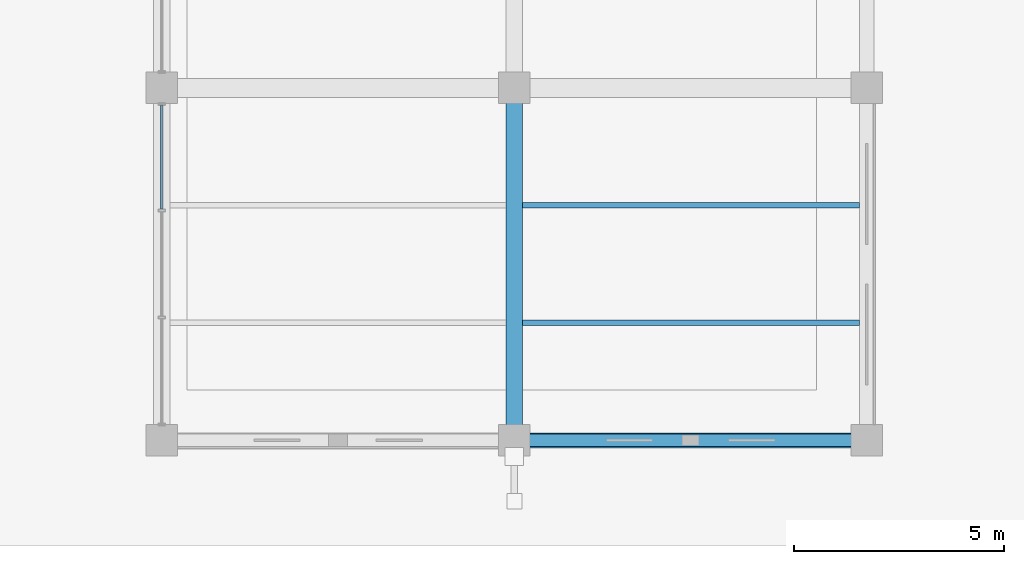
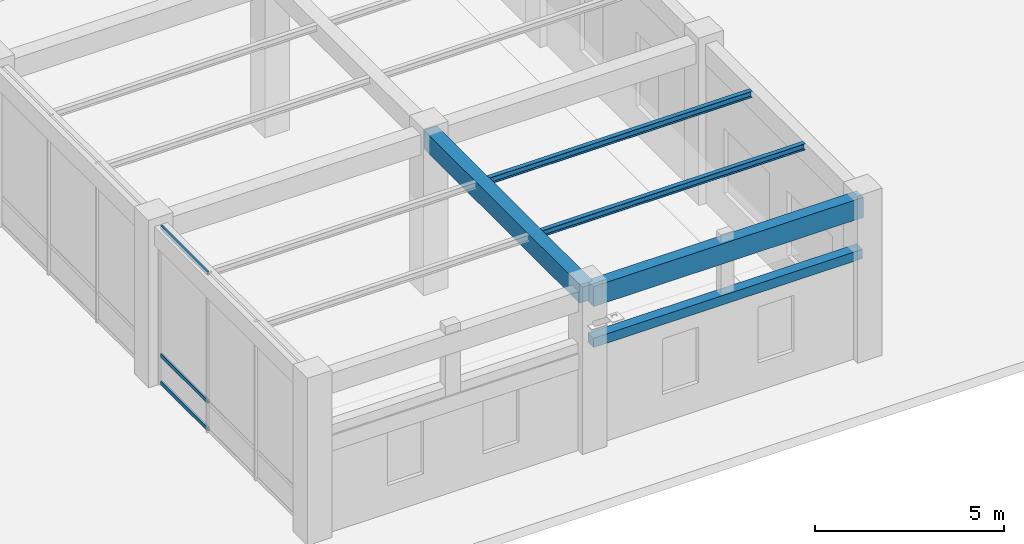
# One storey, part 16 of 157: 5 beams, 3 members, 1 element without a shape of its own.
"""IFC4 building model written with IfcOpenShell, lengths in metres."""

import ifcopenshell
import ifcopenshell.guid

model = None  # the IFC model being written
_history = None  # IfcOwnerHistory: only IFC2X3 demands one
_inside = {}  # id of a spatial element -> (the spatial element, [elements in it])
_under = {}  # id of a project, library or spatial element -> (it, [spatial elements below it])
_declared = {}  # id of a project -> (the project, [libraries it declares])
_typed = {}  # id of a type object -> (the type object, [elements of that type])
_made_of = {}  # id of a material, layer set ... -> (it, [elements and type objects made of it])


def new_model(schema):
    """Start an empty IFC model of exactly this schema.

    Asked for "IFC4X3", IfcOpenShell would pick the latest addendum, in which some entities
    have other attributes; the version numbers below select the first issue.
    IFC2X3 requires an IfcOwnerHistory on every rooted entity: one is made here for all.
    """
    global model, _history
    if schema == "IFC4X3":
        model = ifcopenshell.file(schema_version=(4, 3, 0, 0))
    else:
        model = ifcopenshell.file(schema=schema)
    _inside.clear()
    _under.clear()
    _declared.clear()
    _typed.clear()
    _made_of.clear()
    _history = None
    if model.schema == "IFC2X3":
        org = make("IfcOrganization", Name="unknown")
        user = make(
            "IfcPersonAndOrganization",
            ThePerson=make("IfcPerson", FamilyName="unknown"),
            TheOrganization=org,
        )
        app = make(
            "IfcApplication",
            ApplicationDeveloper=org,
            Version="unknown",
            ApplicationFullName="unknown",
            ApplicationIdentifier="unknown",
        )
        _history = make(
            "IfcOwnerHistory",
            OwningUser=user,
            OwningApplication=app,
            ChangeAction="ADDED",
            CreationDate=0,
        )
    return model


def make(cls, **values):
    """One entity of the class cls with the attributes given. An attribute that is None is left unset."""
    return model.create_entity(
        cls, **{name: value for name, value in values.items() if value is not None}
    )


def rooted(cls, **values):
    """An entity with a GlobalId (a new one), such as an element, a storey or a relation."""
    return make(cls, GlobalId=ifcopenshell.guid.new(), OwnerHistory=_history, **values)


def si_unit(unit_type, name, prefix=None):
    """IfcSIUnit, for example si_unit("LENGTHUNIT", "METRE", prefix="MILLI")."""
    return make("IfcSIUnit", UnitType=unit_type, Prefix=prefix, Name=name)


def assignment(units):
    """IfcUnitAssignment: the units of a project."""
    return None if units is None else make("IfcUnitAssignment", Units=units)


def point(xyz):
    """IfcCartesianPoint."""
    return None if xyz is None else make("IfcCartesianPoint", Coordinates=xyz)


def direction(xyz):
    """IfcDirection."""
    return None if xyz is None else make("IfcDirection", DirectionRatios=xyz)


def frame(location, z_axis=None, x_axis=None):
    """IfcAxis2Placement3D, a coordinate frame: its origin and axes. An axis left out is left unset."""
    return make(
        "IfcAxis2Placement3D",
        Location=point(location),
        Axis=direction(z_axis),
        RefDirection=direction(x_axis),
    )


def frame_2d(location, x_axis=None):
    """IfcAxis2Placement2D, a coordinate frame in the plane: its origin and x axis."""
    return make(
        "IfcAxis2Placement2D", Location=point(location), RefDirection=direction(x_axis)
    )


def origin():
    """The frame at (0, 0, 0) with its axes left unset."""
    return frame((0.0, 0.0, 0.0))


def origin_2d():
    """The frame at (0, 0) in the plane with its x axis left unset."""
    return frame_2d((0.0, 0.0))


def place(relative_to, where):
    """IfcLocalPlacement: puts the frame where relative to a parent placement (None: the world)."""
    return make(
        "IfcLocalPlacement", PlacementRelTo=relative_to, RelativePlacement=where
    )


def context(
    kind, dimensions, precision=None, world=None, true_north=None, identifier=None
):
    """IfcGeometricRepresentationContext, for example the 3D "Model" context."""
    return make(
        "IfcGeometricRepresentationContext",
        ContextIdentifier=identifier,
        ContextType=kind,
        CoordinateSpaceDimension=dimensions,
        Precision=precision,
        WorldCoordinateSystem=world,
        TrueNorth=true_north,
    )


def subcontext(parent, identifier, kind, view, scale=None):
    """IfcGeometricRepresentationSubContext, for example "Body" below "Model"."""
    return make(
        "IfcGeometricRepresentationSubContext",
        ContextIdentifier=identifier,
        ContextType=kind,
        ParentContext=parent,
        TargetScale=scale,
        TargetView=view,
    )


def project(units=None, contexts=None):
    """IfcProject with its units and contexts."""
    return rooted(
        "IfcProject",
        Name="project",
        RepresentationContexts=contexts,
        UnitsInContext=assignment(units),
    )


def spatial(cls, under=None, at=None, **own):
    """A site, building, storey or space (cls), placed at a placement, below another one or the project."""
    s = rooted(cls, ObjectPlacement=at, **own)
    if under is not None:
        _under.setdefault(under.id(), (under, []))[1].append(s)
    return s


def profile(cls, at=None, kind="AREA", **sizes):
    """A parametric profile (cls). Its sizes go by their IFC names, for example OverallWidth=200.0."""
    return make(cls, ProfileType=kind, Position=at, **sizes)


def rectangle(**sizes):
    """IfcRectangleProfileDef."""
    return profile("IfcRectangleProfileDef", **sizes)


def hollow_rectangle(**sizes):
    """IfcRectangleHollowProfileDef."""
    return profile("IfcRectangleHollowProfileDef", **sizes)


def i_section(**sizes):
    """IfcIShapeProfileDef."""
    return profile("IfcIShapeProfileDef", **sizes)


def extrude(swept, where, along, depth):
    """IfcExtrudedAreaSolid: the profile swept, set in the frame where, extruded along a direction by depth."""
    return make(
        "IfcExtrudedAreaSolid",
        SweptArea=swept,
        Position=where,
        ExtrudedDirection=direction(along),
        Depth=depth,
    )


def shape(context_of_items, identifier, shape_type, items):
    """IfcShapeRepresentation: the items that make up one representation, for example the "Body"."""
    return make(
        "IfcShapeRepresentation",
        ContextOfItems=context_of_items,
        RepresentationIdentifier=identifier,
        RepresentationType=shape_type,
        Items=items,
    )


def material(Name=None, Category=None):
    """IfcMaterial."""
    return make("IfcMaterial", Name=Name, Category=Category)


def material_profile(
    of_material, cross_section, Name=None, Category=None, Priority=None
):
    """IfcMaterialProfile: a cross section and its material."""
    return make(
        "IfcMaterialProfile",
        Name=Name,
        Material=of_material,
        Profile=cross_section,
        Priority=Priority,
        Category=Category,
    )


def profile_set(profiles, Name=None, composite=None):
    """IfcMaterialProfileSet."""
    return make(
        "IfcMaterialProfileSet",
        Name=Name,
        MaterialProfiles=profiles,
        CompositeProfile=composite,
    )


def made_of(thing, what):
    """Note that an element or type object is made of a material, layer set ...; save() writes the relation."""
    if what is not None:
        _made_of.setdefault(what.id(), (what, []))[1].append(thing)
    return thing


def type_object(cls, material=None, **own):
    """A type object (cls), such as IfcWallType, which elements share."""
    return made_of(rooted(cls, **own), material)


def element(
    cls,
    number,
    at=None,
    inside=None,
    cuts=None,
    type_object=None,
    material=None,
    context=None,
    identifier="Body",
    shape_type=None,
    held_by="IfcProductDefinitionShape",
    body=None,
    shapes=None,
    **own,
):
    """One element of the class cls, such as IfcWall. Its Tag is "e" and its number.

    at: its placement. inside: the storey or other place that contains it. cuts: it is an
    opening in that element (IfcRelVoidsElement). A single representation is given by context,
    identifier, shape_type and body (its items); several are given by shapes. held_by: the class
    of the entity that holds the representations. save() writes the other relations.
    """
    e = rooted(cls, Tag="e%d" % number, ObjectPlacement=at, **own)
    if body is not None:
        shapes = [shape(context, identifier, shape_type, body)]
    if shapes is not None:
        e.Representation = make(held_by, Representations=shapes)
    if inside is not None:
        _inside.setdefault(inside.id(), (inside, []))[1].append(e)
    if cuts is not None:
        rooted(
            "IfcRelVoidsElement", RelatingBuildingElement=cuts, RelatedOpeningElement=e
        )
    if type_object is not None:
        _typed.setdefault(type_object.id(), (type_object, []))[1].append(e)
    return made_of(e, material)


def aggregate(whole, parts):
    """IfcRelAggregates: a whole, such as a stair, and the parts it consists of."""
    return rooted("IfcRelAggregates", RelatingObject=whole, RelatedObjects=parts)


def save(model, path):
    """Write the relations noted so far, then the file.

    IfcRelAggregates (storeys below a building ...), IfcRelContainedInSpatialStructure (elements
    in a storey), IfcRelDefinesByType, IfcRelAssociatesMaterial and IfcRelDeclares: one each for
    every whole, place, type object, material and project.
    """
    for whole, parts in _under.values():
        aggregate(whole, parts)
    for where, things in _inside.values():
        rooted(
            "IfcRelContainedInSpatialStructure",
            RelatedElements=things,
            RelatingStructure=where,
        )
    for kind, things in _typed.values():
        rooted("IfcRelDefinesByType", RelatedObjects=things, RelatingType=kind)
    for what, things in _made_of.values():
        rooted("IfcRelAssociatesMaterial", RelatedObjects=things, RelatingMaterial=what)
    for by, libraries in _declared.values():
        rooted("IfcRelDeclares", RelatingContext=by, RelatedDefinitions=libraries)
    model.write(path)


model = new_model("IFC4")

# Units and contexts
model_context = context("Model", 3, precision=1e-05, world=origin(), true_north=direction((0.0, 1.0)))
body_context = subcontext(model_context, "Body", "Model", "MODEL_VIEW")
ifc_project = project(units=[si_unit("LENGTHUNIT", "METRE"), si_unit("AREAUNIT", "SQUARE_METRE"), si_unit("VOLUMEUNIT", "CUBIC_METRE"), si_unit("PLANEANGLEUNIT", "RADIAN"), si_unit("MASSUNIT", "GRAM", prefix="KILO"), si_unit("THERMODYNAMICTEMPERATUREUNIT", "KELVIN"), si_unit("POWERUNIT", "WATT")], contexts=[model_context])

# Site, building, storey
site_placement = place(None, origin())
site = spatial("IfcSite", under=ifc_project, at=site_placement, CompositionType="ELEMENT")
building_placement = place(site_placement, origin())
building = spatial("IfcBuilding", under=site, at=building_placement, Name="Darbajah Civic Hall", CompositionType="ELEMENT")
storey_placement = place(building_placement, origin())
storey = spatial("IfcBuildingStorey", under=building, at=storey_placement, Name="L00", CompositionType="ELEMENT", Elevation=0.0)

# Curtain wall, members
ifc_material_1 = material(Name="Anodised Bronze Aluminium and Low-E Glazing", Category="aluminium")
curtain_wall_type = type_object("IfcCurtainWallType", Name="Unitised Curtain Wall CW-98 7600x5150", PredefinedType="USERDEFINED", material=ifc_material_1)
curtain_wall_placement = place(storey_placement, origin())
curtain_wall = element("IfcCurtainWall", 1, at=curtain_wall_placement, inside=storey, type_object=curtain_wall_type, Name="L00 unitised curtain wall CW-V5-L00-S3-B1", ObjectType="UNITISED CURTAIN WALL", PredefinedType="USERDEFINED")
ifc_material_2 = material(Name="Anodised Bronze Aluminium", Category="aluminium")
ifc_material_profile_1 = material_profile(ifc_material_2, hollow_rectangle(XDim=0.06005859375, YDim=0.1201171875, WallThickness=0.003173828125, at=origin_2d()), Name="ALU TRANSOM 60x120")
ifc_profile_set_1 = profile_set([ifc_material_profile_1], Name="Anodised Bronze Aluminium")
member_type = type_object("IfcMemberType", Name="ALU TRANSOM 60x120", PredefinedType="USERDEFINED", material=ifc_profile_set_1)
member_1_placement = place(storey_placement, frame((50.39990234375, 7.988037109375, 0.06005859375), z_axis=(0.0, -1.0, 0.0), x_axis=(1.0, 0.0, 0.0)))
member_1 = element("IfcMember", 2, at=member_1_placement, type_object=member_type, Name="CW-V5-L00-S3-B1 transom 1.1", ObjectType="TRANSOM", PredefinedType="USERDEFINED", context=body_context, shape_type="SweptSolid", body=[
    extrude(hollow_rectangle(XDim=0.06005859375, YDim=0.1201171875, WallThickness=0.003173828125, at=origin_2d()), origin(), (0.0, 0.0, 1.0), 2.478759765625),
])
member_2_placement = place(storey_placement, frame((50.39990234375, 7.988037109375, 0.949951171875), z_axis=(0.0, -1.0, 0.0), x_axis=(1.0, 0.0, 0.0)))
member_2 = element("IfcMember", 3, at=member_2_placement, type_object=member_type, Name="CW-V5-L00-S3-B1 transom 1.2", ObjectType="TRANSOM", PredefinedType="USERDEFINED", context=body_context, shape_type="SweptSolid", body=[
    extrude(hollow_rectangle(XDim=0.06005859375, YDim=0.1201171875, WallThickness=0.003173828125, at=origin_2d()), origin(), (0.0, 0.0, 1.0), 2.478759765625),
])
member_3_placement = place(storey_placement, frame((50.39990234375, 7.988037109375, 5.080078125), z_axis=(0.0, -1.0, 0.0), x_axis=(1.0, 0.0, 0.0)))
member_3 = element("IfcMember", 4, at=member_3_placement, type_object=member_type, Name="CW-V5-L00-S3-B1 transom 1.3", ObjectType="TRANSOM", PredefinedType="USERDEFINED", context=body_context, shape_type="SweptSolid", body=[
    extrude(hollow_rectangle(XDim=0.06005859375, YDim=0.1201171875, WallThickness=0.003173828125, at=origin_2d()), origin(), (0.0, 0.0, 1.0), 2.478759765625),
])
aggregate(curtain_wall, [member_1, member_2, member_3])

# Beams
ifc_material_3 = material(Name="Concrete C45/55", Category="concrete")
ifc_material_profile_2 = material_profile(ifc_material_3, rectangle(XDim=0.39990234375, YDim=0.60009765625, at=origin_2d()), Name="RC BEAM 400x600")
ifc_profile_set_2 = profile_set([ifc_material_profile_2], Name="Concrete C45/55")
beam_type_1 = type_object("IfcBeamType", Name="RC BEAM 400x600", PredefinedType="BEAM", material=ifc_profile_set_2)
beam_1_placement = place(storey_placement, frame((58.800048828125, 0.080078125, 4.840087890625), z_axis=(0.0, 1.0, 0.0), x_axis=(-1.0, 0.0, 0.0)))
element("IfcBeam", 5, at=beam_1_placement, inside=storey, type_object=beam_type_1, Name="L00 beam BM-4060", PredefinedType="BEAM", context=body_context, shape_type="SweptSolid", body=[
    extrude(rectangle(XDim=0.39990234375, YDim=0.60009765625, at=origin_2d()), origin(), (0.0, 0.0, 1.0), 8.239990234375),
])
ifc_material_profile_3 = material_profile(ifc_material_3, rectangle(XDim=0.300048828125, YDim=0.300048828125, at=origin_2d()), Name="RC LINTEL 300x300")
ifc_profile_set_3 = profile_set([ifc_material_profile_3], Name="Concrete C45/55")
beam_type_2 = type_object("IfcBeamType", Name="RC LINTEL 300x300", PredefinedType="LINTEL", material=ifc_profile_set_3)
beam_2_placement = place(storey_placement, frame((58.889892578125, 0.0, 3.300048828125), z_axis=(1.0, 0.0, 0.0), x_axis=(0.0, 1.0, 0.0)))
element("IfcBeam", 6, at=beam_2_placement, inside=storey, type_object=beam_type_2, Name="L00 stone portal lintel LN-3030", PredefinedType="LINTEL", context=body_context, shape_type="SweptSolid", body=[
    extrude(rectangle(XDim=0.300048828125, YDim=0.300048828125, at=origin_2d()), origin(), (0.0, 0.0, 1.0), 8.22021484375),
])
ifc_material_profile_4 = material_profile(ifc_material_3, rectangle(XDim=0.35009765625, YDim=0.64990234375, at=origin_2d()), Name="RC SPANDREL 350x650")
ifc_profile_set_4 = profile_set([ifc_material_profile_4], Name="Concrete C45/55")
beam_type_3 = type_object("IfcBeamType", Name="RC SPANDREL 350x650", PredefinedType="SPANDREL", material=ifc_profile_set_4)
beam_3_placement = place(storey_placement, frame((58.8798828125, 0.0, 4.81494140625), z_axis=(1.0, 0.0, 0.0), x_axis=(0.0, 1.0, 0.0)))
element("IfcBeam", 7, at=beam_3_placement, inside=storey, type_object=beam_type_3, Name="L00 beam SP-3565", PredefinedType="SPANDREL", context=body_context, shape_type="SweptSolid", body=[
    extrude(rectangle(XDim=0.35009765625, YDim=0.64990234375, at=origin_2d()), origin(), (0.0, 0.0, 1.0), 8.240234375),
])
ifc_material_4 = material(Name="Steel S355JR", Category="steel")
ifc_material_profile_5 = material_profile(ifc_material_4, i_section(OverallWidth=0.1337890625, OverallDepth=0.206787109375, WebThickness=0.00634765625, FlangeThickness=0.009521484375, FilletRadius=0.007568359375, at=origin_2d()), Name="UB 203x133x30")
ifc_profile_set_5 = profile_set([ifc_material_profile_5], Name="Steel S355JR")
beam_type_4 = type_object("IfcBeamType", Name="UB 203x133x30", PredefinedType="JOIST", material=ifc_profile_set_5)
for number, where, z_axis, x_axis, name in (
    (8, (59.0, 2.800048828125, 5.03662109375), (1.0, 0.0, 0.0), (0.0, 1.0, 0.0), "L00 beam SJ-203"),
    (9, (59.0, 5.60009765625, 5.03662109375), (1.0, 0.0, 0.0), (0.0, 1.0, 0.0), "L00 beam SJ-203"),
):
    element("IfcBeam", number, at=place(storey_placement, frame(where, z_axis=z_axis, x_axis=x_axis)), inside=storey, type_object=beam_type_4, Name=name, PredefinedType="JOIST", context=body_context, shape_type="SweptSolid", body=[
        extrude(i_section(OverallWidth=0.1337890625, OverallDepth=0.206787109375, WebThickness=0.00634765625, FlangeThickness=0.009521484375, FilletRadius=0.007568359375, at=origin_2d()), origin(), (0.0, 0.0, 1.0), 8.02490234375),
    ])

save(model, "model.ifc")
